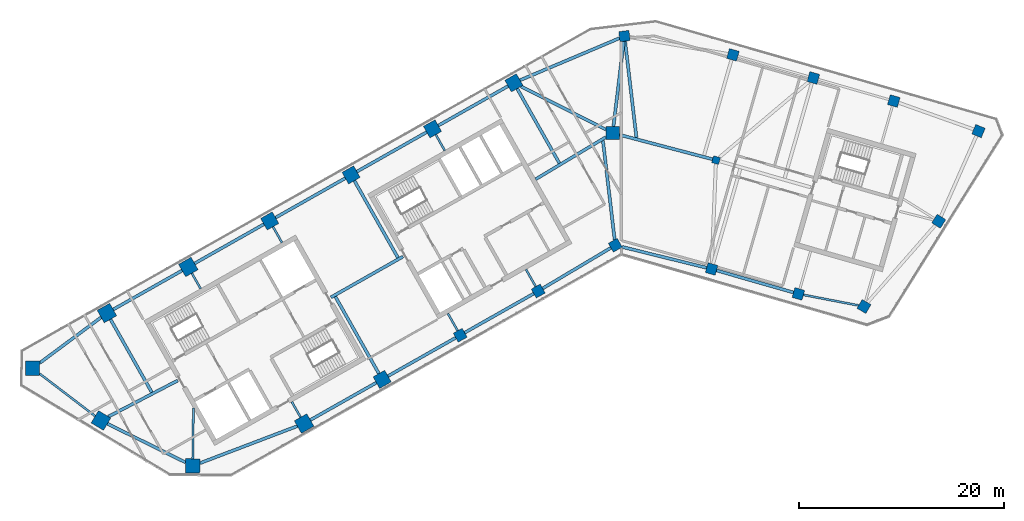
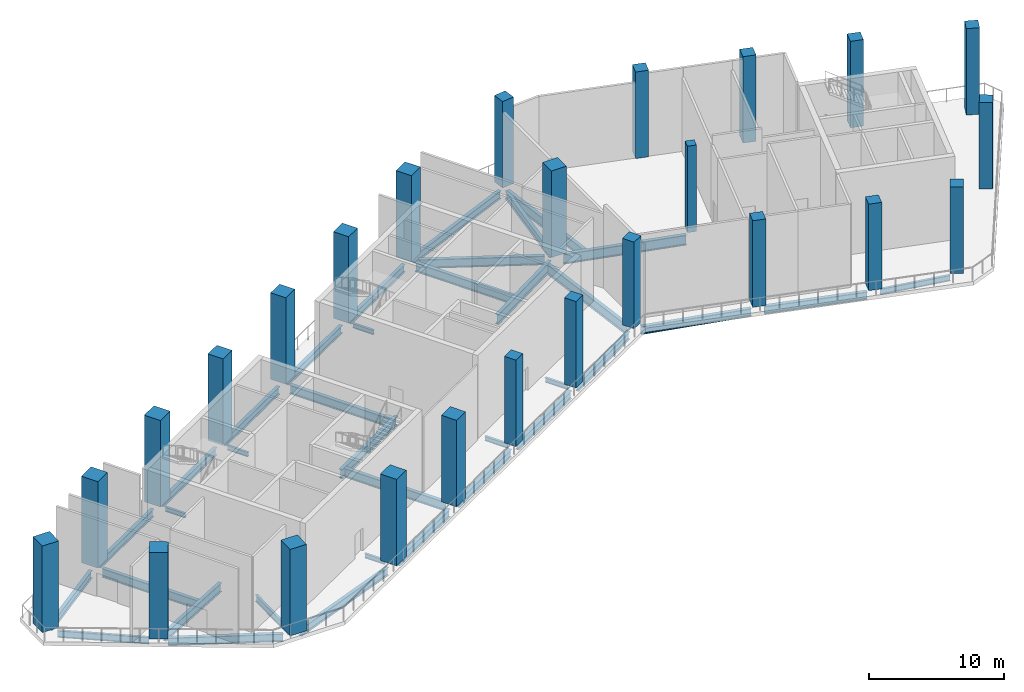
# One storey, part 1 of 8: 36 beams, 25 columns.
"""IFC4 building model written with IfcOpenShell, lengths in metres."""

from ifc_helpers import new_model, si_unit, direction, frame, origin, origin_2d, place, context, subcontext, project, spatial, rectangle, i_section, extrude, material, material_profile, profile_set, type_object, element, save


model = new_model("IFC4")

# Units and contexts
model_context = context("Model", 3, precision=1e-05, world=origin(), true_north=direction((0.0, 1.0)))
body_context = subcontext(model_context, "Body", "Model", "MODEL_VIEW")
ifc_project = project(units=[si_unit("LENGTHUNIT", "METRE"), si_unit("AREAUNIT", "SQUARE_METRE"), si_unit("VOLUMEUNIT", "CUBIC_METRE"), si_unit("PLANEANGLEUNIT", "RADIAN"), si_unit("MASSUNIT", "GRAM", prefix="KILO")], contexts=[model_context])

# Site, building, storey
site_placement = place(None, origin())
site = spatial("IfcSite", under=ifc_project, at=site_placement, CompositionType="ELEMENT")
building_placement = place(site_placement, origin())
building = spatial("IfcBuilding", under=site, at=building_placement, Name="Binnacle Exchange Tower", CompositionType="ELEMENT")
storey_placement = place(building_placement, frame((0.0, 0.0, 230.89990234375)))
storey = spatial("IfcBuildingStorey", under=building, at=storey_placement, Name="L51", CompositionType="ELEMENT", Elevation=230.89990234375)

# Columns
ifc_material_1 = material(Name="Concrete C60/75", Category="concrete")
ifc_material_profile_1 = material_profile(ifc_material_1, rectangle(XDim=0.699951171875, YDim=0.699951171875, at=origin_2d()), Name="Column 700x700 C60/75")
ifc_profile_set_1 = profile_set([ifc_material_profile_1], Name="Concrete C60/75")
column_type_1 = type_object("IfcColumnType", Name="Column 700x700 C60/75", PredefinedType="COLUMN", material=ifc_profile_set_1)
column_placement = place(storey_placement, frame((9.240966796875, 57.35009765625, 0.0), z_axis=(0.0, 0.0, 1.0), x_axis=(0.961261695938, -0.275637355817, 0.0)))
element("IfcColumn", 1, at=column_placement, inside=storey, type_object=column_type_1, Name="S:COL:C19:L51", PredefinedType="COLUMN", context=body_context, shape_type="SweptSolid", body=[
    extrude(rectangle(XDim=0.699951171875, YDim=0.699951171875, at=origin_2d()), origin(), (0.0, 0.0, 1.0), 7.800048828125),
])
ifc_material_profile_2 = material_profile(ifc_material_1, rectangle(XDim=1.0, YDim=1.0, at=origin_2d()), Name="Mega column 1000x1000 C60/75")
ifc_profile_set_2 = profile_set([ifc_material_profile_2], Name="Concrete C60/75")
column_type_2 = type_object("IfcColumnType", Name="Mega column 1000x1000 C60/75", PredefinedType="COLUMN", material=ifc_profile_set_2)
for number, where, z_axis, x_axis, name in (
    (2, (26.602783203125, 63.12353515625, 0.0), (0.0, 0.0, 1.0), (-0.961261695938, 0.275637355817, 0.0), "S:COL:MC52:L51"),
    (3, (18.746337890625, 65.376220703125, 0.0), (0.0, 0.0, 1.0), (-0.961261695938, 0.275637355817, 0.0), "S:COL:MC50:L51"),
    (4, (10.889892578125, 67.62890625, 0.0), (0.0, 0.0, 1.0), (-0.961261695938, 0.275637355817, 0.0), "S:COL:MC48:L51"),
    (5, (0.300048828125, 69.464111328125, 0.0), (0.0, 0.0, 1.0), (-0.993068456955, -0.117537397458, 0.0), "S:COL:MC47:L51"),
    (6, (-15.736328125, 40.257080078125, 0.0), (0.0, 0.0, 1.0), (0.87035569594, 0.492423560103, 0.0), "S:COL:MC24:L51"),
    (7, (-8.116943359375, 44.568115234375, 0.0), (0.0, 0.0, 1.0), (0.87035569594, 0.492423560103, 0.0), "S:COL:MC35:L51"),
    (8, (-0.5908203125, 49.04443359375, 0.0), (0.0, 0.0, 1.0), (0.87035569594, 0.492423560103, 0.0), "S:COL:MC46:L51"),
    (9, (8.8095703125, 46.722412109375, 0.0), (0.0, 0.0, 1.0), (0.961261695938, -0.275637355817, 0.0), "S:COL:MC49:L51"),
    (10, (17.2880859375, 44.291015625, 0.0), (0.0, 0.0, 1.0), (0.961261695938, -0.275637355817, 0.0), "S:COL:MC51:L51"),
    (11, (23.690185546875, 43.062744140625, 0.0), (0.0, 0.0, 1.0), (-0.86532642813, 0.501208711795, 0.0), "S:COL:MC53:L51"),
    (12, (30.989501953125, 51.38623046875, 0.0), (0.0, 0.0, 1.0), (0.529919264233, 0.848048096156, 0.0), "S:COL:MC55:L51"),
    (13, (34.870361328125, 60.18701171875, 0.0), (0.0, 0.0, 1.0), (-0.922814001807, 0.385245789164, 0.0), "S:COL:MC54:L51"),
):
    element("IfcColumn", number, at=place(storey_placement, frame(where, z_axis=z_axis, x_axis=x_axis)), inside=storey, type_object=column_type_2, Name=name, PredefinedType="COLUMN", context=body_context, shape_type="SweptSolid", body=[
        extrude(rectangle(XDim=1.0, YDim=1.0, at=origin_2d()), origin(), (0.0, 0.0, 1.0), 7.800048828125),
    ])
ifc_material_profile_3 = material_profile(ifc_material_1, rectangle(XDim=1.300048828125, YDim=1.300048828125, at=origin_2d()), Name="Mega column 1300x1300 C60/75")
ifc_profile_set_3 = profile_set([ifc_material_profile_3], Name="Concrete C60/75")
column_type_3 = type_object("IfcColumnType", Name="Mega column 1300x1300 C60/75", PredefinedType="COLUMN", material=ifc_profile_set_3)
for number, where, z_axis, x_axis, name in (
    (14, (-10.4951171875, 64.901611328125, 0.0), (0.0, 0.0, 1.0), (-0.87035569594, -0.492423560103, 0.0), "S:COL:MC38:L51"),
    (15, (-18.44140625, 60.406005859375, 0.0), (0.0, 0.0, 1.0), (-0.87035569594, -0.492423560103, 0.0), "S:COL:MC29:L51"),
    (16, (-26.3876953125, 55.91015625, 0.0), (0.0, 0.0, 1.0), (-0.87035569594, -0.492423560103, 0.0), "S:COL:MC21:L51"),
    (17, (-34.333740234375, 51.414306640625, 0.0), (0.0, 0.0, 1.0), (-0.87035569594, -0.492423560103, 0.0), "S:COL:MC13:L51"),
    (18, (-23.35595703125, 35.9462890625, 0.0), (0.0, 0.0, 1.0), (0.87035569594, 0.492423560103, 0.0), "S:COL:MC16:L51"),
    (19, (-0.85009765625, 60.0, 0.0), (0.0, 0.0, 1.0), (0.0, 1.0, 0.0), "S:COL:MC45:L51"),
):
    element("IfcColumn", number, at=place(storey_placement, frame(where, z_axis=z_axis, x_axis=x_axis)), inside=storey, type_object=column_type_3, Name=name, PredefinedType="COLUMN", context=body_context, shape_type="SweptSolid", body=[
        extrude(rectangle(XDim=1.300048828125, YDim=1.300048828125, at=origin_2d()), origin(), (0.0, 0.0, 1.0), 7.800048828125),
    ])
ifc_material_profile_4 = material_profile(ifc_material_1, rectangle(XDim=1.39990234375, YDim=1.39990234375, at=origin_2d()), Name="Mega column 1400x1400 C60/75")
ifc_profile_set_4 = profile_set([ifc_material_profile_4], Name="Concrete C60/75")
column_type_4 = type_object("IfcColumnType", Name="Mega column 1400x1400 C60/75", PredefinedType="COLUMN", material=ifc_profile_set_4)
for number, where, z_axis, x_axis, name in (
    (20, (-42.280029296875, 46.918701171875, 0.0), (0.0, 0.0, 1.0), (-0.87035569594, -0.492423560103, 0.0), "S:COL:MC08:L51"),
    (21, (-50.226318359375, 42.4228515625, 0.0), (0.0, 0.0, 1.0), (-0.87035569594, -0.492423560103, 0.0), "S:COL:MC04:L51"),
    (22, (-57.492919921875, 37.02734375, 0.0), (0.0, 0.0, 1.0), (-0.013089595571, -0.999914327574, 0.0), "S:COL:MC02:L51"),
    (23, (-50.81201171875, 31.930908203125, 0.0), (0.0, 0.0, 1.0), (0.857167300702, -0.51503807491, 0.0), "S:COL:MC01:L51"),
    (24, (-41.857666015625, 27.494873046875, 0.0), (0.0, 0.0, 1.0), (0.999914327574, -0.013089595571, 0.0), "S:COL:MC03:L51"),
    (25, (-30.9755859375, 31.63525390625, 0.0), (0.0, 0.0, 1.0), (0.87035569594, 0.492423560103, 0.0), "S:COL:MC07:L51"),
):
    element("IfcColumn", number, at=place(storey_placement, frame(where, z_axis=z_axis, x_axis=x_axis)), inside=storey, type_object=column_type_4, Name=name, PredefinedType="COLUMN", context=body_context, shape_type="SweptSolid", body=[
        extrude(rectangle(XDim=1.39990234375, YDim=1.39990234375, at=origin_2d()), origin(), (0.0, 0.0, 1.0), 7.800048828125),
    ])

# Beams
ifc_material_2 = material(Name="Steel S355 (SHN355)", Category="steel")
ifc_material_profile_5 = material_profile(ifc_material_2, i_section(OverallWidth=0.200927734375, OverallDepth=0.506103515625, WebThickness=0.010986328125, FlangeThickness=0.01904296875, FilletRadius=0.02001953125, at=origin_2d()), Name="H 506x201x11x19")
ifc_profile_set_5 = profile_set([ifc_material_profile_5], Name="Steel S355 (SHN355)")
beam_type_1 = type_object("IfcBeamType", Name="Edge girder H 506x201x11x19 Steel S355 (SHN355)", PredefinedType="SPANDREL", material=ifc_profile_set_5)
beam_1_placement = place(storey_placement, frame((17.78125, 44.196533203125, -0.602783203125), z_axis=(0.98208728148, -0.188426568073, 0.0), x_axis=(0.188426568073, 0.98208728148, 0.0)))
element("IfcBeam", 26, at=beam_1_placement, inside=storey, type_object=beam_type_1, Name="S:BM:edge:L51:028", PredefinedType="SPANDREL", context=body_context, shape_type="SweptSolid", body=[
    extrude(i_section(OverallWidth=0.200927734375, OverallDepth=0.506103515625, WebThickness=0.010986328125, FlangeThickness=0.01904296875, FilletRadius=0.02001953125, at=origin_2d()), origin(), (0.0, 0.0, 1.0), 5.4873046875),
])
ifc_material_profile_6 = material_profile(ifc_material_2, i_section(OverallWidth=0.201904296875, OverallDepth=0.612060546875, WebThickness=0.012939453125, FlangeThickness=0.02294921875, FilletRadius=0.02197265625, at=origin_2d()), Name="H 612x202x13x23")
ifc_profile_set_6 = profile_set([ifc_material_profile_6], Name="Steel S355 (SHN355)")
beam_type_2 = type_object("IfcBeamType", Name="Edge girder H 612x202x13x23 Steel S355 (SHN355)", PredefinedType="SPANDREL", material=ifc_profile_set_6)
beam_2_placement = place(storey_placement, frame((-56.7998046875, 36.49853515625, -0.656005859375), z_axis=(0.795081038606, -0.606503208606, 0.0), x_axis=(0.606503208606, 0.795081038606, 0.0)))
element("IfcBeam", 27, at=beam_2_placement, inside=storey, type_object=beam_type_2, Name="S:BM:edge:L51:011", PredefinedType="SPANDREL", context=body_context, shape_type="SweptSolid", body=[
    extrude(i_section(OverallWidth=0.201904296875, OverallDepth=0.612060546875, WebThickness=0.012939453125, FlangeThickness=0.02294921875, FilletRadius=0.02197265625, at=origin_2d()), origin(), (0.0, 0.0, 1.0), 6.82666015625),
])
ifc_material_profile_7 = material_profile(ifc_material_2, i_section(OverallWidth=0.300048828125, OverallDepth=0.699951171875, WebThickness=0.012939453125, FlangeThickness=0.02392578125, FilletRadius=0.028076171875, at=origin_2d()), Name="H 700x300x13x24")
ifc_profile_set_7 = profile_set([ifc_material_profile_7], Name="Steel S355 (SHN355)")
beam_type_3 = type_object("IfcBeamType", Name="Edge girder H 700x300x13x24 Steel S355 (SHN355)", PredefinedType="SPANDREL", material=ifc_profile_set_7)
beam_3_placement = place(storey_placement, frame((-50.79248046875, 42.00244140625, -0.699951171875), z_axis=(-0.802886959261, -0.596131303194, 0.0), x_axis=(0.596131303194, -0.802886959261, 0.0)))
element("IfcBeam", 28, at=beam_3_placement, inside=storey, type_object=beam_type_3, Name="S:BM:edge:L51:012", PredefinedType="SPANDREL", context=body_context, shape_type="SweptSolid", body=[
    extrude(i_section(OverallWidth=0.300048828125, OverallDepth=0.699951171875, WebThickness=0.012939453125, FlangeThickness=0.02392578125, FilletRadius=0.028076171875, at=origin_2d()), origin(), (0.0, 0.0, 1.0), 7.465087890625),
])
beam_4_placement = place(storey_placement, frame((-50.1826171875, 31.619140625, -0.699951171875), z_axis=(0.896061326398, -0.443930286569, 0.0), x_axis=(0.443930286569, 0.896061326398, 0.0)))
element("IfcBeam", 29, at=beam_4_placement, inside=storey, type_object=beam_type_3, Name="S:BM:edge:L51:013", PredefinedType="SPANDREL", context=body_context, shape_type="SweptSolid", body=[
    extrude(i_section(OverallWidth=0.300048828125, OverallDepth=0.699951171875, WebThickness=0.012939453125, FlangeThickness=0.02392578125, FilletRadius=0.028076171875, at=origin_2d()), origin(), (0.0, 0.0, 1.0), 8.514404296875),
])
beam_5_placement = place(storey_placement, frame((-42.88916015625, 46.573974609375, -0.699951171875), z_axis=(-0.870355702011, -0.492423549372, 0.0), x_axis=(0.492423549372, -0.870355702011, 0.0)))
element("IfcBeam", 30, at=beam_5_placement, inside=storey, type_object=beam_type_3, Name="S:BM:edge:L51:014", PredefinedType="SPANDREL", context=body_context, shape_type="SweptSolid", body=[
    extrude(i_section(OverallWidth=0.300048828125, OverallDepth=0.699951171875, WebThickness=0.012939453125, FlangeThickness=0.02392578125, FilletRadius=0.028076171875, at=origin_2d()), origin(), (0.0, 0.0, 1.0), 7.72998046875),
])
beam_6_placement = place(storey_placement, frame((-34.8994140625, 51.09423828125, -0.699951171875), z_axis=(-0.870365218126, -0.492406729317, 0.0), x_axis=(0.492406729317, -0.870365218126, 0.0)))
element("IfcBeam", 31, at=beam_6_placement, inside=storey, type_object=beam_type_3, Name="S:BM:edge:L51:016", PredefinedType="SPANDREL", context=body_context, shape_type="SweptSolid", body=[
    extrude(i_section(OverallWidth=0.300048828125, OverallDepth=0.699951171875, WebThickness=0.012939453125, FlangeThickness=0.02392578125, FilletRadius=0.028076171875, at=origin_2d()), origin(), (0.0, 0.0, 1.0), 7.77978515625),
])
beam_7_placement = place(storey_placement, frame((-30.3662109375, 31.97998046875, -0.699951171875), z_axis=(0.87035151347, 0.49243095252, 0.0), x_axis=(-0.49243095252, 0.87035151347, 0.0)))
element("IfcBeam", 32, at=beam_7_placement, inside=storey, type_object=beam_type_3, Name="S:BM:edge:L51:017", PredefinedType="SPANDREL", context=body_context, shape_type="SweptSolid", body=[
    extrude(i_section(OverallWidth=0.300048828125, OverallDepth=0.699951171875, WebThickness=0.012939453125, FlangeThickness=0.02392578125, FilletRadius=0.028076171875, at=origin_2d()), origin(), (0.0, 0.0, 1.0), 7.404541015625),
])
beam_8_placement = place(storey_placement, frame((-26.953369140625, 55.590087890625, -0.699951171875), z_axis=(-0.870361249296, -0.492413744452, 0.0), x_axis=(0.492413744452, -0.870361249296, 0.0)))
element("IfcBeam", 33, at=beam_8_placement, inside=storey, type_object=beam_type_3, Name="S:BM:edge:L51:018", PredefinedType="SPANDREL", context=body_context, shape_type="SweptSolid", body=[
    extrude(i_section(OverallWidth=0.300048828125, OverallDepth=0.699951171875, WebThickness=0.012939453125, FlangeThickness=0.02392578125, FilletRadius=0.028076171875, at=origin_2d()), origin(), (0.0, 0.0, 1.0), 7.829833984375),
])
beam_9_placement = place(storey_placement, frame((-22.790283203125, 36.266357421875, -0.699951171875), z_axis=(0.870357072119, 0.492421127708, 0.0), x_axis=(-0.492421127708, 0.870357072119, 0.0)))
element("IfcBeam", 34, at=beam_9_placement, inside=storey, type_object=beam_type_3, Name="S:BM:edge:L51:019", PredefinedType="SPANDREL", context=body_context, shape_type="SweptSolid", body=[
    extrude(i_section(OverallWidth=0.300048828125, OverallDepth=0.699951171875, WebThickness=0.012939453125, FlangeThickness=0.02392578125, FilletRadius=0.028076171875, at=origin_2d()), origin(), (0.0, 0.0, 1.0), 7.6044921875),
])
beam_10_placement = place(storey_placement, frame((-19.007080078125, 60.0859375, -0.699951171875), z_axis=(-0.870355446453, -0.492424001069, 0.0), x_axis=(0.492424001069, -0.870355446453, 0.0)))
element("IfcBeam", 35, at=beam_10_placement, inside=storey, type_object=beam_type_3, Name="S:BM:edge:L51:020", PredefinedType="SPANDREL", context=body_context, shape_type="SweptSolid", body=[
    extrude(i_section(OverallWidth=0.300048828125, OverallDepth=0.699951171875, WebThickness=0.012939453125, FlangeThickness=0.02392578125, FilletRadius=0.028076171875, at=origin_2d()), origin(), (0.0, 0.0, 1.0), 7.830078125),
])
beam_11_placement = place(storey_placement, frame((-15.30126953125, 40.50341796875, -0.699951171875), z_axis=(0.870352841483, 0.492428605304, 0.0), x_axis=(-0.492428605304, 0.870352841483, 0.0)))
element("IfcBeam", 36, at=beam_11_placement, inside=storey, type_object=beam_type_3, Name="S:BM:edge:L51:021", PredefinedType="SPANDREL", context=body_context, shape_type="SweptSolid", body=[
    extrude(i_section(OverallWidth=0.300048828125, OverallDepth=0.699951171875, WebThickness=0.012939453125, FlangeThickness=0.02392578125, FilletRadius=0.028076171875, at=origin_2d()), origin(), (0.0, 0.0, 1.0), 7.754638671875),
])
beam_12_placement = place(storey_placement, frame((-11.060791015625, 64.58154296875, -0.699951171875), z_axis=(-0.870361249296, -0.492413744452, 0.0), x_axis=(0.492413744452, -0.870361249296, 0.0)))
element("IfcBeam", 37, at=beam_12_placement, inside=storey, type_object=beam_type_3, Name="S:BM:edge:L51:022", PredefinedType="SPANDREL", context=body_context, shape_type="SweptSolid", body=[
    extrude(i_section(OverallWidth=0.300048828125, OverallDepth=0.699951171875, WebThickness=0.012939453125, FlangeThickness=0.02392578125, FilletRadius=0.028076171875, at=origin_2d()), origin(), (0.0, 0.0, 1.0), 7.829833984375),
])
beam_13_placement = place(storey_placement, frame((-7.68701171875, 44.82373046875, -0.699951171875), z_axis=(0.859458521045, 0.51120548765, 0.0), x_axis=(-0.51120548765, 0.859458521045, 0.0)))
element("IfcBeam", 38, at=beam_13_placement, inside=storey, type_object=beam_type_3, Name="S:BM:edge:L51:023", PredefinedType="SPANDREL", context=body_context, shape_type="SweptSolid", body=[
    extrude(i_section(OverallWidth=0.300048828125, OverallDepth=0.699951171875, WebThickness=0.012939453125, FlangeThickness=0.02392578125, FilletRadius=0.028076171875, at=origin_2d()), origin(), (0.0, 0.0, 1.0), 7.75634765625),
])
beam_14_placement = place(storey_placement, frame((0.076904296875, 48.87939453125, -0.699951171875), z_axis=(0.970819987475, -0.239809407487, 0.0), x_axis=(0.239809407487, 0.970819987475, 0.0)))
element("IfcBeam", 39, at=beam_14_placement, inside=storey, type_object=beam_type_3, Name="S:BM:edge:L51:025", PredefinedType="SPANDREL", context=body_context, shape_type="SweptSolid", body=[
    extrude(i_section(OverallWidth=0.300048828125, OverallDepth=0.699951171875, WebThickness=0.012939453125, FlangeThickness=0.02392578125, FilletRadius=0.028076171875, at=origin_2d()), origin(), (0.0, 0.0, 1.0), 8.49462890625),
])
beam_15_placement = place(storey_placement, frame((9.2900390625, 46.58447265625, -0.699951171875), z_axis=(0.961265533153, -0.275623973506, 0.0), x_axis=(0.275623973506, 0.961265533153, 0.0)))
element("IfcBeam", 40, at=beam_15_placement, inside=storey, type_object=beam_type_3, Name="S:BM:edge:L51:026", PredefinedType="SPANDREL", context=body_context, shape_type="SweptSolid", body=[
    extrude(i_section(OverallWidth=0.300048828125, OverallDepth=0.699951171875, WebThickness=0.012939453125, FlangeThickness=0.02392578125, FilletRadius=0.028076171875, at=origin_2d()), origin(), (0.0, 0.0, 1.0), 7.820556640625),
])
ifc_material_profile_8 = material_profile(ifc_material_2, i_section(OverallWidth=0.302001953125, OverallDepth=0.7080078125, WebThickness=0.014892578125, FlangeThickness=0.028076171875, FilletRadius=0.028076171875, at=origin_2d()), Name="H 708x302x15x28")
ifc_profile_set_8 = profile_set([ifc_material_profile_8], Name="Steel S355 (SHN355)")
beam_type_4 = type_object("IfcBeamType", Name="Edge girder H 708x302x15x28 Steel S355 (SHN355)", PredefinedType="SPANDREL", material=ifc_profile_set_8)
beam_16_placement = place(storey_placement, frame((-41.154052734375, 27.762451171875, -0.703857421875), z_axis=(0.934627442278, 0.355628379268, 0.0), x_axis=(-0.355628379268, 0.934627442278, 0.0)))
element("IfcBeam", 41, at=beam_16_placement, inside=storey, type_object=beam_type_4, Name="S:BM:edge:L51:015", PredefinedType="SPANDREL", context=body_context, shape_type="SweptSolid", body=[
    extrude(i_section(OverallWidth=0.302001953125, OverallDepth=0.7080078125, WebThickness=0.014892578125, FlangeThickness=0.028076171875, FilletRadius=0.028076171875, at=origin_2d()), origin(), (0.0, 0.0, 1.0), 10.18212890625),
])
beam_17_placement = place(storey_placement, frame((-0.179443359375, 69.261474609375, -0.703857421875), z_axis=(-0.921114178723, -0.389292524659, 0.0), x_axis=(0.389292524659, -0.921114178723, 0.0)))
element("IfcBeam", 42, at=beam_17_placement, inside=storey, type_object=beam_type_4, Name="S:BM:edge:L51:024", PredefinedType="SPANDREL", context=body_context, shape_type="SweptSolid", body=[
    extrude(i_section(OverallWidth=0.302001953125, OverallDepth=0.7080078125, WebThickness=0.014892578125, FlangeThickness=0.028076171875, FilletRadius=0.028076171875, at=origin_2d()), origin(), (0.0, 0.0, 1.0), 10.544677734375),
])
ifc_material_profile_9 = material_profile(ifc_material_2, i_section(OverallWidth=0.199951171875, OverallDepth=0.39990234375, WebThickness=0.008056640625, FlangeThickness=0.012939453125, FilletRadius=0.01611328125, at=origin_2d()), Name="H 400x200x8x13")
ifc_profile_set_9 = profile_set([ifc_material_profile_9], Name="Steel S355 (SHN355)")
beam_type_5 = type_object("IfcBeamType", Name="Floor beam H 400x200x8x13 Steel S355 (SHN355)", PredefinedType="BEAM", material=ifc_profile_set_9)
beam_18_placement = place(storey_placement, frame((-41.935302734375, 46.3095703125, -0.5498046875), z_axis=(0.492405102951, -0.870366138236, 0.0), x_axis=(0.870366138236, 0.492405102951, 0.0)))
element("IfcBeam", 43, at=beam_18_placement, inside=storey, type_object=beam_type_5, Name="S:BM:cross:L51:035", PredefinedType="BEAM", context=body_context, shape_type="SweptSolid", body=[
    extrude(i_section(OverallWidth=0.199951171875, OverallDepth=0.39990234375, WebThickness=0.008056640625, FlangeThickness=0.012939453125, FilletRadius=0.01611328125, at=origin_2d()), origin(), (0.0, 0.0, 1.0), 1.734375),
])
beam_19_placement = place(storey_placement, frame((-34.013671875, 50.8486328125, -0.5498046875), z_axis=(0.492435931281, -0.870348696548, 0.0), x_axis=(0.870348696548, 0.492435931281, 0.0)))
element("IfcBeam", 44, at=beam_19_placement, inside=storey, type_object=beam_type_5, Name="S:BM:cross:L51:037", PredefinedType="BEAM", context=body_context, shape_type="SweptSolid", body=[
    extrude(i_section(OverallWidth=0.199951171875, OverallDepth=0.39990234375, WebThickness=0.008056640625, FlangeThickness=0.012939453125, FilletRadius=0.01611328125, at=origin_2d()), origin(), (0.0, 0.0, 1.0), 1.784423828125),
])
beam_20_placement = place(storey_placement, frame((-31.3203125, 32.244384765625, -0.5498046875), z_axis=(-0.492405102951, 0.870366138236, 0.0), x_axis=(-0.870366138236, -0.492405102951, 0.0)))
element("IfcBeam", 45, at=beam_20_placement, inside=storey, type_object=beam_type_5, Name="S:BM:cross:L51:038", PredefinedType="BEAM", context=body_context, shape_type="SweptSolid", body=[
    extrude(i_section(OverallWidth=0.199951171875, OverallDepth=0.39990234375, WebThickness=0.008056640625, FlangeThickness=0.012939453125, FilletRadius=0.01611328125, at=origin_2d()), origin(), (0.0, 0.0, 1.0), 1.734375),
])
beam_21_placement = place(storey_placement, frame((-18.12109375, 59.84033203125, -0.5498046875), z_axis=(0.49233227435, -0.870407336615, 0.0), x_axis=(0.870407336615, 0.49233227435, 0.0)))
element("IfcBeam", 46, at=beam_21_placement, inside=storey, type_object=beam_type_5, Name="S:BM:cross:L51:041", PredefinedType="BEAM", context=body_context, shape_type="SweptSolid", body=[
    extrude(i_section(OverallWidth=0.199951171875, OverallDepth=0.39990234375, WebThickness=0.008056640625, FlangeThickness=0.012939453125, FilletRadius=0.01611328125, at=origin_2d()), origin(), (0.0, 0.0, 1.0), 1.7841796875),
])
for number, where, z_axis, x_axis, name in (
    (47, (-15.982666015625, 40.6923828125, -0.5498046875), (-0.492369148916, 0.870386478063, 0.0), (-0.870386478063, -0.492369148916, 0.0), "S:BM:cross:L51:042"),
    (48, (-8.363037109375, 45.00341796875, -0.5498046875), (-0.492518856771, 0.870301772792, 0.0), (-0.870301772792, -0.492518856771, 0.0), "S:BM:cross:L51:044"),
):
    element("IfcBeam", number, at=place(storey_placement, frame(where, z_axis=z_axis, x_axis=x_axis)), inside=storey, type_object=beam_type_5, Name=name, PredefinedType="BEAM", context=body_context, shape_type="SweptSolid", body=[
        extrude(i_section(OverallWidth=0.199951171875, OverallDepth=0.39990234375, WebThickness=0.008056640625, FlangeThickness=0.012939453125, FilletRadius=0.01611328125, at=origin_2d()), origin(), (0.0, 0.0, 1.0), 1.934326171875),
    ])
ifc_material_profile_10 = material_profile(ifc_material_2, i_section(OverallWidth=0.200927734375, OverallDepth=0.60595703125, WebThickness=0.011962890625, FlangeThickness=0.02001953125, FilletRadius=0.02197265625, at=origin_2d()), Name="H 606x201x12x20")
ifc_profile_set_10 = profile_set([ifc_material_profile_10], Name="Steel S355 (SHN355)")
beam_type_6 = type_object("IfcBeamType", Name="Floor beam H 606x201x12x20 Steel S355 (SHN355)", PredefinedType="BEAM", material=ifc_profile_set_10)
beam_22_placement = place(storey_placement, frame((-41.848388671875, 28.194580078125, -0.65283203125), z_axis=(0.013067878487, 0.99991461163, 0.0), x_axis=(-0.99991461163, 0.013067878487, 0.0)))
element("IfcBeam", 49, at=beam_22_placement, inside=storey, type_object=beam_type_6, Name="S:BM:cross:L51:036", PredefinedType="BEAM", context=body_context, shape_type="SweptSolid", body=[
    extrude(i_section(OverallWidth=0.200927734375, OverallDepth=0.60595703125, WebThickness=0.011962890625, FlangeThickness=0.02001953125, FilletRadius=0.02197265625, at=origin_2d()), origin(), (0.0, 0.0, 1.0), 4.950927734375),
])
ifc_material_profile_11 = material_profile(ifc_material_2, i_section(OverallWidth=0.300048828125, OverallDepth=0.800048828125, WebThickness=0.013916015625, FlangeThickness=0.02587890625, FilletRadius=0.028076171875, at=origin_2d()), Name="H 800x300x14x26")
ifc_profile_set_11 = profile_set([ifc_material_profile_11], Name="Steel S355 (SHN355)")
beam_type_7 = type_object("IfcBeamType", Name="Floor beam H 800x300x14x26 Steel S355 (SHN355)", PredefinedType="BEAM", material=ifc_profile_set_11)
beam_23_placement = place(storey_placement, frame((-49.881591796875, 41.813720703125, -0.75), z_axis=(0.492430408551, -0.870351821239, 0.0), x_axis=(0.870351821239, 0.492430408551, 0.0)))
element("IfcBeam", 50, at=beam_23_placement, inside=storey, type_object=beam_type_7, Name="S:BM:cross:L51:034", PredefinedType="BEAM", context=body_context, shape_type="SweptSolid", body=[
    extrude(i_section(OverallWidth=0.300048828125, OverallDepth=0.800048828125, WebThickness=0.013916015625, FlangeThickness=0.02587890625, FilletRadius=0.028076171875, at=origin_2d()), origin(), (0.0, 0.0, 1.0), 8.19140625),
])
ifc_material_profile_12 = material_profile(ifc_material_2, i_section(OverallWidth=0.302001953125, OverallDepth=0.80810546875, WebThickness=0.01611328125, FlangeThickness=0.030029296875, FilletRadius=0.028076171875, at=origin_2d()), Name="H 808x302x16x30")
ifc_profile_set_12 = profile_set([ifc_material_profile_12], Name="Steel S355 (SHN355)")
beam_type_8 = type_object("IfcBeamType", Name="Floor beam H 808x302x16x30 Steel S355 (SHN355)", PredefinedType="BEAM", material=ifc_profile_set_12)
beam_24_placement = place(storey_placement, frame((-26.0673828125, 55.344482421875, -0.75390625), z_axis=(0.492401028839, -0.870368443131, 0.0), x_axis=(0.870368443131, 0.492401028839, 0.0)))
element("IfcBeam", 51, at=beam_24_placement, inside=storey, type_object=beam_type_8, Name="S:BM:cross:L51:039", PredefinedType="BEAM", context=body_context, shape_type="SweptSolid", body=[
    extrude(i_section(OverallWidth=0.302001953125, OverallDepth=0.80810546875, WebThickness=0.01611328125, FlangeThickness=0.030029296875, FilletRadius=0.028076171875, at=origin_2d()), origin(), (0.0, 0.0, 1.0), 8.634033203125),
])
beam_25_placement = place(storey_placement, frame((-23.676025390625, 36.511962890625, -0.75390625), z_axis=(-0.492422448747, 0.870356324714, 0.0), x_axis=(-0.870356324714, -0.492422448747, 0.0)))
element("IfcBeam", 52, at=beam_25_placement, inside=storey, type_object=beam_type_8, Name="S:BM:cross:L51:040", PredefinedType="BEAM", context=body_context, shape_type="SweptSolid", body=[
    extrude(i_section(OverallWidth=0.302001953125, OverallDepth=0.80810546875, WebThickness=0.01611328125, FlangeThickness=0.030029296875, FilletRadius=0.028076171875, at=origin_2d()), origin(), (0.0, 0.0, 1.0), 8.63427734375),
])
beam_26_placement = place(storey_placement, frame((-10.175048828125, 64.3359375, -0.75390625), z_axis=(0.492424391334, -0.870355225652, 0.0), x_axis=(0.870355225652, 0.492424391334, 0.0)))
element("IfcBeam", 53, at=beam_26_placement, inside=storey, type_object=beam_type_8, Name="S:BM:cross:L51:043", PredefinedType="BEAM", context=body_context, shape_type="SweptSolid", body=[
    extrude(i_section(OverallWidth=0.302001953125, OverallDepth=0.80810546875, WebThickness=0.01611328125, FlangeThickness=0.030029296875, FilletRadius=0.028076171875, at=origin_2d()), origin(), (0.0, 0.0, 1.0), 8.369384765625),
])
ifc_material_profile_13 = material_profile(ifc_material_2, i_section(OverallWidth=0.300048828125, OverallDepth=0.89990234375, WebThickness=0.01611328125, FlangeThickness=0.028076171875, FilletRadius=0.028076171875, at=origin_2d()), Name="H 900x300x16x28")
ifc_profile_set_13 = profile_set([ifc_material_profile_13], Name="Steel S355 (SHN355)")
beam_type_9 = type_object("IfcBeamType", Name="Floor beam H 900x300x16x28 Steel S355 (SHN355)", PredefinedType="BEAM", material=ifc_profile_set_13)
beam_27_placement = place(storey_placement, frame((0.35888671875, 68.9677734375, -0.7998046875), z_axis=(0.117547988923, -0.993067203315, 0.0), x_axis=(0.993067203315, 0.117547988923, 0.0)))
element("IfcBeam", 54, at=beam_27_placement, inside=storey, type_object=beam_type_9, Name="S:BM:cross:L51:046", PredefinedType="BEAM", context=body_context, shape_type="SweptSolid", body=[
    extrude(i_section(OverallWidth=0.300048828125, OverallDepth=0.89990234375, WebThickness=0.01611328125, FlangeThickness=0.028076171875, FilletRadius=0.028076171875, at=origin_2d()), origin(), (0.0, 0.0, 1.0), 9.5),
])
ifc_material_profile_14 = material_profile(ifc_material_2, i_section(OverallWidth=0.302001953125, OverallDepth=0.912109375, WebThickness=0.01806640625, FlangeThickness=0.033935546875, FilletRadius=0.028076171875, at=origin_2d()), Name="H 912x302x18x34")
ifc_profile_set_14 = profile_set([ifc_material_profile_14], Name="Steel S355 (SHN355)")
beam_type_10 = type_object("IfcBeamType", Name="Floor beam H 912x302x18x34 Steel S355 (SHN355)", PredefinedType="BEAM", material=ifc_profile_set_14)
beam_28_placement = place(storey_placement, frame((-0.654541015625, 49.5830078125, -0.805908203125), z_axis=(-0.117538284625, 0.993068351951, 0.0), x_axis=(-0.993068351951, -0.117538284625, 0.0)))
element("IfcBeam", 55, at=beam_28_placement, inside=storey, type_object=beam_type_10, Name="S:BM:cross:L51:045", PredefinedType="BEAM", context=body_context, shape_type="SweptSolid", body=[
    extrude(i_section(OverallWidth=0.302001953125, OverallDepth=0.912109375, WebThickness=0.01806640625, FlangeThickness=0.033935546875, FilletRadius=0.028076171875, at=origin_2d()), origin(), (0.0, 0.0, 1.0), 9.754150390625),
])
ifc_material_profile_15 = material_profile(ifc_material_2, i_section(OverallWidth=0.300048828125, OverallDepth=0.699951171875, WebThickness=0.012939453125, FlangeThickness=0.02392578125, FilletRadius=0.028076171875, at=origin_2d()), Name="H 700x300x13x24")
ifc_profile_set_15 = profile_set([ifc_material_profile_15], Name="Steel S355 (SHN355)")
beam_type_11 = type_object("IfcBeamType", Name="Spine girder H 700x300x13x24 Steel S355 (SHN355)", PredefinedType="BEAM", material=ifc_profile_set_15)
beam_29_placement = place(storey_placement, frame((-0.77099609375, 60.64990234375, -0.699951171875), z_axis=(0.120632086068, 0.992697285083, 0.0), x_axis=(-0.992697285083, 0.120632086068, 0.0)))
element("IfcBeam", 56, at=beam_29_placement, inside=storey, type_object=beam_type_11, Name="S:BM:spine:L51:005", PredefinedType="BEAM", context=body_context, shape_type="SweptSolid", body=[
    extrude(i_section(OverallWidth=0.300048828125, OverallDepth=0.699951171875, WebThickness=0.012939453125, FlangeThickness=0.02392578125, FilletRadius=0.028076171875, at=origin_2d()), origin(), (0.0, 0.0, 1.0), 8.364501953125),
])
ifc_material_profile_16 = material_profile(ifc_material_2, i_section(OverallWidth=0.300048828125, OverallDepth=0.800048828125, WebThickness=0.013916015625, FlangeThickness=0.02587890625, FilletRadius=0.028076171875, at=origin_2d()), Name="H 800x300x14x26")
ifc_profile_set_16 = profile_set([ifc_material_profile_16], Name="Steel S355 (SHN355)")
beam_type_12 = type_object("IfcBeamType", Name="Spine girder H 800x300x14x26 Steel S355 (SHN355)", PredefinedType="BEAM", material=ifc_profile_set_16)
beam_30_placement = place(storey_placement, frame((-50.083740234375, 32.31005859375, -0.75), z_axis=(0.886975994229, 0.46181553207, 0.0), x_axis=(-0.46181553207, 0.886975994229, 0.0)))
element("IfcBeam", 57, at=beam_30_placement, inside=storey, type_object=beam_type_12, Name="S:BM:spine:L51:001", PredefinedType="BEAM", context=body_context, shape_type="SweptSolid", body=[
    extrude(i_section(OverallWidth=0.300048828125, OverallDepth=0.800048828125, WebThickness=0.013916015625, FlangeThickness=0.02587890625, FilletRadius=0.028076171875, at=origin_2d()), origin(), (0.0, 0.0, 1.0), 7.6396484375),
])
beam_31_placement = place(storey_placement, frame((-1.5, 60.330322265625, -0.75), z_axis=(-0.891481538846, 0.453057022786, 0.0), x_axis=(-0.453057022786, -0.891481538846, 0.0)))
element("IfcBeam", 58, at=beam_31_placement, inside=storey, type_object=beam_type_12, Name="S:BM:spine:L51:004", PredefinedType="BEAM", context=body_context, shape_type="SweptSolid", body=[
    extrude(i_section(OverallWidth=0.300048828125, OverallDepth=0.800048828125, WebThickness=0.013916015625, FlangeThickness=0.02587890625, FilletRadius=0.028076171875, at=origin_2d()), origin(), (0.0, 0.0, 1.0), 9.31005859375),
])
ifc_material_profile_17 = material_profile(ifc_material_2, i_section(OverallWidth=0.302001953125, OverallDepth=0.80810546875, WebThickness=0.01611328125, FlangeThickness=0.030029296875, FilletRadius=0.028076171875, at=origin_2d()), Name="H 808x302x16x30")
ifc_profile_set_17 = profile_set([ifc_material_profile_17], Name="Steel S355 (SHN355)")
beam_type_13 = type_object("IfcBeamType", Name="Spine girder H 808x302x16x30 Steel S355 (SHN355)", PredefinedType="BEAM", material=ifc_profile_set_17)
beam_32_placement = place(storey_placement, frame((-28.365478515625, 43.951416015625, -0.75390625), z_axis=(0.870350319004, 0.492433063684, 0.0), x_axis=(-0.492433063684, 0.870350319004, 0.0)))
element("IfcBeam", 59, at=beam_32_placement, inside=storey, type_object=beam_type_13, Name="S:BM:spine:L51:002", PredefinedType="BEAM", context=body_context, shape_type="SweptSolid", body=[
    extrude(i_section(OverallWidth=0.302001953125, OverallDepth=0.80810546875, WebThickness=0.01611328125, FlangeThickness=0.030029296875, FilletRadius=0.028076171875, at=origin_2d()), origin(), (0.0, 0.0, 1.0), 8.0908203125),
])
ifc_material_profile_18 = material_profile(ifc_material_2, i_section(OverallWidth=0.302001953125, OverallDepth=0.912109375, WebThickness=0.01806640625, FlangeThickness=0.033935546875, FilletRadius=0.028076171875, at=origin_2d()), Name="H 912x302x18x34")
ifc_profile_set_18 = profile_set([ifc_material_profile_18], Name="Steel S355 (SHN355)")
beam_type_14 = type_object("IfcBeamType", Name="Spine girder H 912x302x18x34 Steel S355 (SHN355)", PredefinedType="BEAM", material=ifc_profile_set_18)
beam_33_placement = place(storey_placement, frame((-8.36328125, 55.489990234375, -0.805908203125), z_axis=(0.857387955422, 0.514670665472, 0.0), x_axis=(-0.514670665472, 0.857387955422, 0.0)))
element("IfcBeam", 60, at=beam_33_placement, inside=storey, type_object=beam_type_14, Name="S:BM:spine:L51:003", PredefinedType="BEAM", context=body_context, shape_type="SweptSolid", body=[
    extrude(i_section(OverallWidth=0.302001953125, OverallDepth=0.912109375, WebThickness=0.01806640625, FlangeThickness=0.033935546875, FilletRadius=0.028076171875, at=origin_2d()), origin(), (0.0, 0.0, 1.0), 8.0048828125),
])
beam_34_placement = place(storey_placement, frame((-0.199951171875, 59.829345703125, -0.805908203125), z_axis=(0.967210495765, -0.253976095098, 0.0), x_axis=(0.253976095098, 0.967210495765, 0.0)))
element("IfcBeam", 61, at=beam_34_placement, inside=storey, type_object=beam_type_14, Name="S:BM:spine:L51:006", PredefinedType="BEAM", context=body_context, shape_type="SweptSolid", body=[
    extrude(i_section(OverallWidth=0.302001953125, OverallDepth=0.912109375, WebThickness=0.01806640625, FlangeThickness=0.033935546875, FilletRadius=0.028076171875, at=origin_2d()), origin(), (0.0, 0.0, 1.0), 9.410888671875),
])

save(model, "model.ifc")
